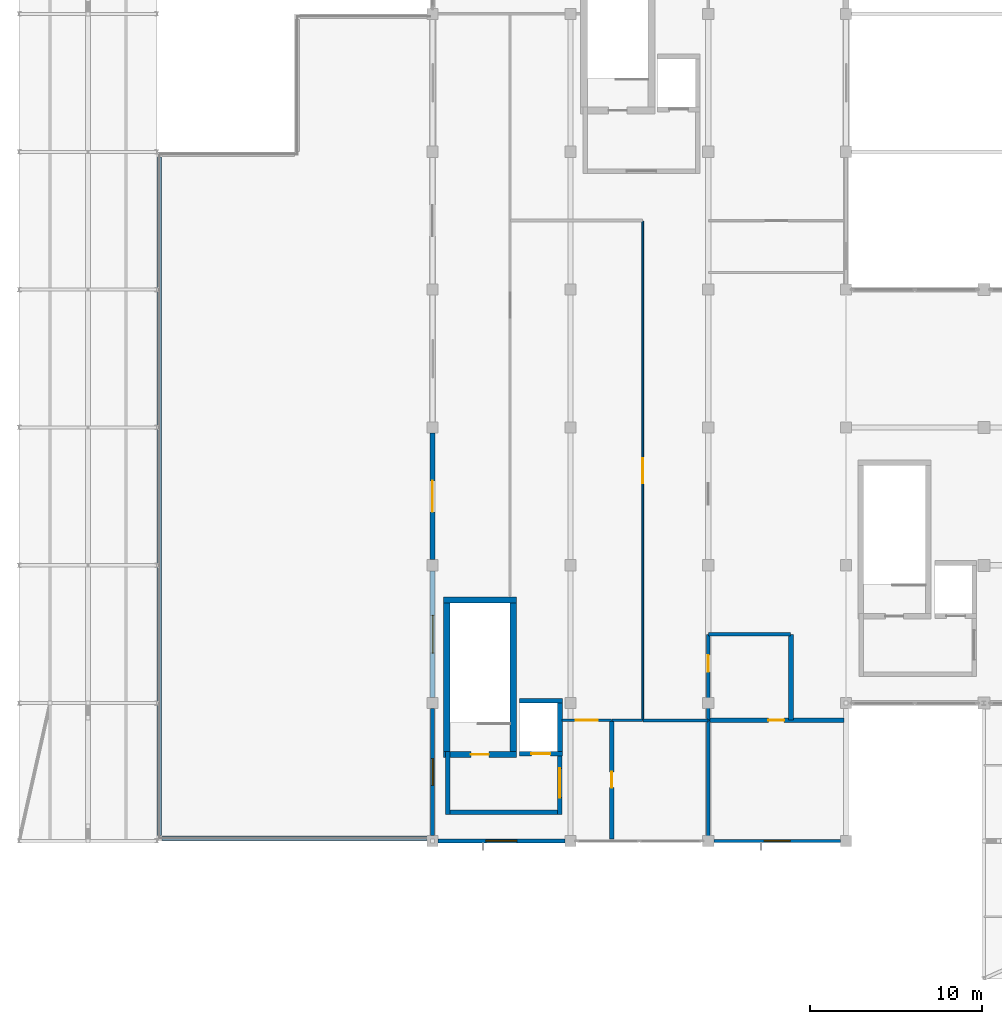
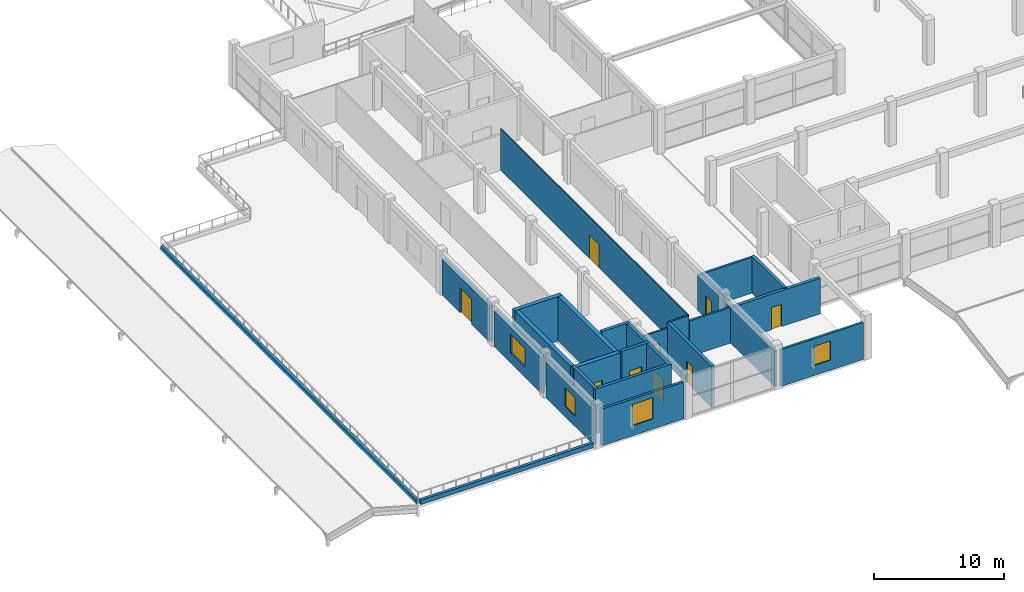
# One storey, part 42 of 67: 27 walls, 9 doors, 4 windows, 13 openings.
"""IFC4 building model written with IfcOpenShell, lengths in metres."""

from ifc_helpers import new_model, si_unit, direction, frame, frame_2d, origin, place, context, subcontext, project, spatial, rectangle, extrude, material, layer, layer_set, type_object, element, fill, save


model = new_model("IFC4")

# Units and contexts
model_context = context("Model", 3, precision=1e-05, world=origin(), true_north=direction((0.0, 1.0)))
body_context = subcontext(model_context, "Body", "Model", "MODEL_VIEW")
ifc_project = project(units=[si_unit("LENGTHUNIT", "METRE"), si_unit("AREAUNIT", "SQUARE_METRE"), si_unit("VOLUMEUNIT", "CUBIC_METRE"), si_unit("PLANEANGLEUNIT", "RADIAN"), si_unit("MASSUNIT", "GRAM", prefix="KILO")], contexts=[model_context])

# Site, building, storey
site_placement = place(None, origin())
site = spatial("IfcSite", under=ifc_project, at=site_placement, CompositionType="ELEMENT")
building_placement = place(site_placement, origin())
building = spatial("IfcBuilding", under=site, at=building_placement, Name="Kenh Van Central Station", CompositionType="ELEMENT")
storey_placement = place(building_placement, frame((0.0, 0.0, 10.800048828125)))
storey = spatial("IfcBuildingStorey", under=building, at=storey_placement, Name="L02", CompositionType="ELEMENT", Elevation=10.800048828125)

# Wall, opening, door
ifc_material_1 = material(Name="Concrete C40/50", Category="concrete")
ifc_layer_1 = layer(ifc_material_1, 0.280029296875, Name="Concrete C40/50")
ifc_layer_set_1 = layer_set([ifc_layer_1], Name="Concrete C40/50")
wall_type_1 = type_object("IfcWallType", Name="WL-CORE-280", PredefinedType="SHEAR", material=ifc_layer_set_1)
wall_1_placement = place(storey_placement, frame((29.050048828125, 13.06005859375, 0.0), z_axis=(0.0, 0.0, 1.0), x_axis=(1.0, 0.0, 0.0)))
wall_1 = element("IfcWall", 1, at=wall_1_placement, inside=storey, type_object=wall_type_1, Name="L02 LIFT-P1 shaft wall S", PredefinedType="SHEAR", context=body_context, shape_type="SweptSolid", body=[
    extrude(rectangle(XDim=2.47998046875, YDim=0.280029296875, at=frame_2d((1.239990234375, 0.0))), origin(), (0.0, 0.0, 1.0), 4.199951171875),
])
opening_1_placement = place(wall_1_placement, frame((0.68994140625, 0.0, 0.0)))
opening_1 = element("IfcOpeningElement", 2, at=opening_1_placement, cuts=wall_1, Name="Opening LD-P1", PredefinedType="OPENING", context=body_context, shape_type="SweptSolid", body=[
    extrude(rectangle(XDim=1.10009765625, YDim=2.14990234375, at=frame_2d((0.550048828125, 1.074951171875))), frame((0.0, 0.14990234375, 0.0), z_axis=(0.0, -1.0, 0.0), x_axis=(1.0, 0.0, 0.0)), (0.0, 0.0, 1.0), 0.300048828125),
])
ifc_material_2 = material(Name="Champagne anodised aluminium", Category="aluminium")
door_type_1 = type_object("IfcDoorType", Name="DR-LIFT-1100x2150", OperationType="SLIDING_TO_LEFT", PredefinedType="DOOR", material=ifc_material_2)
door_1_placement = place(opening_1_placement, origin())
door_1 = element("IfcDoor", 3, at=door_1_placement, inside=storey, type_object=door_type_1, Name="L02 LIFT-P1 sliding landing door", OperationType="SLIDING_TO_LEFT", OverallHeight=2.14990234375, OverallWidth=1.10009765625, PredefinedType="DOOR", context=body_context, shape_type="SweptSolid", body=[
    extrude(rectangle(XDim=1.10009765625, YDim=2.14990234375, at=frame_2d((0.550048828125, 1.074951171875))), frame((0.0, 0.02490234375, 0.0), z_axis=(0.0, -1.0, 0.0), x_axis=(1.0, 0.0, 0.0)), (0.0, 0.0, 1.0), 0.050048828125),
])
fill(opening_1, door_1)

# Walls
wall_2_placement = place(storey_placement, frame((29.050048828125, 16.139892578125, 0.0), z_axis=(0.0, 0.0, 1.0), x_axis=(1.0, 0.0, 0.0)))
element("IfcWall", 4, at=wall_2_placement, inside=storey, type_object=wall_type_1, Name="L02 LIFT-P1 shaft wall N", PredefinedType="SHEAR", context=body_context, shape_type="SweptSolid", body=[
    extrude(rectangle(XDim=2.47998046875, YDim=0.280029296875, at=frame_2d((1.239990234375, 0.0))), origin(), (0.0, 0.0, 1.0), 4.199951171875),
])
wall_3_placement = place(storey_placement, frame((31.389892578125, 13.199951171875, 0.0), z_axis=(0.0, 0.0, 1.0), x_axis=(0.0, 1.0, 0.0)))
element("IfcWall", 5, at=wall_3_placement, inside=storey, type_object=wall_type_1, Name="L02 LIFT-P1 shaft wall E", PredefinedType="SHEAR", context=body_context, shape_type="SweptSolid", body=[
    extrude(rectangle(XDim=2.800048828125, YDim=0.280029296875, at=frame_2d((1.39990234375, 0.0))), origin(), (0.0, 0.0, 1.0), 4.199951171875),
])

# Wall, opening, door
ifc_layer_2 = layer(ifc_material_1, 0.360107421875, Name="Concrete C40/50")
ifc_layer_set_2 = layer_set([ifc_layer_2], Name="Concrete C40/50")
wall_type_2 = type_object("IfcWallType", Name="WL-CORE-360", PredefinedType="SHEAR", material=ifc_layer_set_2)
wall_4_placement = place(storey_placement, frame((24.639892578125, 13.02001953125, 0.0), z_axis=(0.0, 0.0, 1.0), x_axis=(1.0, 0.0, 0.0)))
wall_4 = element("IfcWall", 6, at=wall_4_placement, inside=storey, type_object=wall_type_2, Name="L02 CORE-01 stair wall S", PredefinedType="SHEAR", context=body_context, shape_type="SweptSolid", body=[
    extrude(rectangle(XDim=4.22021484375, YDim=0.360107421875, at=frame_2d((2.110107421875, 0.0))), origin(), (0.0, 0.0, 1.0), 4.199951171875),
])
opening_2_placement = place(wall_4_placement, frame((1.5849609375, 0.0, 0.0)))
opening_2 = element("IfcOpeningElement", 7, at=opening_2_placement, cuts=wall_4, Name="Opening D-FD60", PredefinedType="OPENING", context=body_context, shape_type="SweptSolid", body=[
    extrude(rectangle(XDim=1.050048828125, YDim=2.14990234375, at=frame_2d((0.52490234375, 1.074951171875))), frame((0.0, 0.18994140625, 0.0), z_axis=(0.0, -1.0, 0.0), x_axis=(1.0, 0.0, 0.0)), (0.0, 0.0, 1.0), 0.380126953125),
])
door_type_2 = type_object("IfcDoorType", Name="DR-FIRE-1050x2150", OperationType="NOTDEFINED", PredefinedType="DOOR", material=ifc_material_2)
door_2_placement = place(opening_2_placement, origin())
door_2 = element("IfcDoor", 8, at=door_2_placement, inside=storey, type_object=door_type_2, Name="L02 ST-01 stair door", OperationType="SINGLE_SWING_LEFT", OverallHeight=2.14990234375, OverallWidth=1.050048828125, PredefinedType="DOOR", context=body_context, shape_type="SweptSolid", body=[
    extrude(rectangle(XDim=1.050048828125, YDim=2.14990234375, at=frame_2d((0.52490234375, 1.074951171875))), frame((0.0, 0.02490234375, 0.0), z_axis=(0.0, -1.0, 0.0), x_axis=(1.0, 0.0, 0.0)), (0.0, 0.0, 1.0), 0.050048828125),
])
fill(opening_2, door_2)

# Walls
wall_5_placement = place(storey_placement, frame((24.639892578125, 21.97998046875, 0.0), z_axis=(0.0, 0.0, 1.0), x_axis=(1.0, 0.0, 0.0)))
element("IfcWall", 9, at=wall_5_placement, inside=storey, type_object=wall_type_2, Name="L02 CORE-01 stair wall N", PredefinedType="SHEAR", context=body_context, shape_type="SweptSolid", body=[
    extrude(rectangle(XDim=4.22021484375, YDim=0.360107421875, at=frame_2d((2.110107421875, 0.0))), origin(), (0.0, 0.0, 1.0), 4.199951171875),
])
for number, where, z_axis, x_axis, name in (
    (10, (24.820068359375, 13.199951171875, 0.0), (0.0, 0.0, 1.0), (0.0, 1.0, 0.0), "L02 CORE-01 stair wall W"),
    (11, (28.679931640625, 13.199951171875, 0.0), (0.0, 0.0, 1.0), (0.0, 1.0, 0.0), "L02 CORE-01 stair wall E"),
):
    element("IfcWall", number, at=place(storey_placement, frame(where, z_axis=z_axis, x_axis=x_axis)), inside=storey, type_object=wall_type_2, Name=name, PredefinedType="SHEAR", context=body_context, shape_type="SweptSolid", body=[
        extrude(rectangle(XDim=8.60009765625, YDim=0.360107421875, at=frame_2d((4.300048828125, 0.0))), origin(), (0.0, 0.0, 1.0), 4.199951171875),
    ])

# Wall, opening, window
ifc_material_3 = material(Name="Saigon buff sandstone and terracotta masonry", Category="masonry")
ifc_layer_3 = layer(ifc_material_3, 0.2900390625, Name="Saigon buff sandstone and terracotta masonry")
ifc_layer_set_3 = layer_set([ifc_layer_3], Name="Saigon buff sandstone and terracotta masonry")
wall_type_3 = type_object("IfcWallType", Name="WL-EXT-290", PredefinedType="STANDARD", material=ifc_layer_set_3)
wall_6_placement = place(storey_placement, frame((24.0, 23.675048828125, 0.0), z_axis=(0.0, 0.0, 1.0), x_axis=(0.0, -1.0, 0.0)))
wall_6 = element("IfcWall", 12, at=wall_6_placement, inside=storey, type_object=wall_type_3, Name="L02 exterior wall 076", PredefinedType="STANDARD", context=body_context, shape_type="SweptSolid", body=[
    extrude(rectangle(XDim=7.35009765625, YDim=0.2900390625, at=frame_2d((3.675048828125, 0.0))), origin(), (0.0, 0.0, 1.0), 3.35986328125),
])
opening_3_placement = place(wall_6_placement, frame((2.574951171875, 0.0, 0.949951171875)))
opening_3 = element("IfcOpeningElement", 13, at=opening_3_placement, cuts=wall_6, Name="Opening WN-16", PredefinedType="OPENING", context=body_context, shape_type="SweptSolid", body=[
    extrude(rectangle(XDim=2.199951171875, YDim=1.75, at=frame_2d((1.10009765625, 0.875))), frame((0.0, 0.155029296875, 0.0), z_axis=(0.0, -1.0, 0.0), x_axis=(1.0, 0.0, 0.0)), (0.0, 0.0, 1.0), 0.31005859375),
])
ifc_material_4 = material(Name="Double-glazed low-E laminated solar glass", Category="glass")
window_type_1 = type_object("IfcWindowType", Name="WN-OP02-2200x1750", PartitioningType="DOUBLE_PANEL_VERTICAL", PredefinedType="WINDOW", material=ifc_material_4)
window_1_placement = place(opening_3_placement, origin())
window_1 = element("IfcWindow", 14, at=window_1_placement, inside=storey, type_object=window_type_1, Name="L02 window 046", OverallHeight=1.75, OverallWidth=2.199951171875, PartitioningType="SINGLE_PANEL", PredefinedType="WINDOW", context=body_context, shape_type="SweptSolid", body=[
    extrude(rectangle(XDim=2.199951171875, YDim=1.75, at=frame_2d((1.10009765625, 0.875))), frame((0.0, 0.030029296875, 0.0), z_axis=(0.0, -1.0, 0.0), x_axis=(1.0, 0.0, 0.0)), (0.0, 0.0, 1.0), 0.06005859375),
])
fill(opening_3, window_1)

# Wall, opening, door
ifc_layer_4 = layer(ifc_material_3, 0.31005859375, Name="Saigon buff sandstone and terracotta masonry")
ifc_layer_set_4 = layer_set([ifc_layer_4], Name="Saigon buff sandstone and terracotta masonry")
wall_type_4 = type_object("IfcWallType", Name="WL-EXT-310", PredefinedType="STANDARD", material=ifc_layer_set_4)
wall_7_placement = place(storey_placement, frame((24.0, 31.675048828125, 0.0), z_axis=(0.0, 0.0, 1.0), x_axis=(0.0, -1.0, 0.0)))
wall_7 = element("IfcWall", 15, at=wall_7_placement, inside=storey, type_object=wall_type_4, Name="L02 exterior wall 075", PredefinedType="STANDARD", context=body_context, shape_type="SweptSolid", body=[
    extrude(rectangle(XDim=7.35009765625, YDim=0.31005859375, at=frame_2d((3.675048828125, 0.0))), origin(), (0.0, 0.0, 1.0), 3.35986328125),
])
opening_4_placement = place(wall_7_placement, frame((2.77490234375, 0.0, 0.0)))
opening_4 = element("IfcOpeningElement", 16, at=opening_4_placement, cuts=wall_7, Name="Opening D-EX4", PredefinedType="OPENING", context=body_context, shape_type="SweptSolid", body=[
    extrude(rectangle(XDim=1.800048828125, YDim=2.35009765625, at=frame_2d((0.89990234375, 1.175048828125))), frame((0.0, 0.1650390625, 0.0), z_axis=(0.0, -1.0, 0.0), x_axis=(1.0, 0.0, 0.0)), (0.0, 0.0, 1.0), 0.330078125),
])
door_type_3 = type_object("IfcDoorType", Name="DR-EXT-1800x2350", OperationType="DOUBLE_DOOR_SINGLE_SWING", PredefinedType="DOOR", material=ifc_material_2)
door_3_placement = place(opening_4_placement, frame((1.800048828125, 0.0, 0.0), z_axis=(0.0, 0.0, 1.0), x_axis=(-1.0, 0.0, 0.0)))
door_3 = element("IfcDoor", 17, at=door_3_placement, inside=storey, type_object=door_type_3, Name="L02 exterior door 030", OperationType="DOUBLE_DOOR_SINGLE_SWING", OverallHeight=2.35009765625, OverallWidth=1.800048828125, PredefinedType="DOOR", context=body_context, shape_type="SweptSolid", body=[
    extrude(rectangle(XDim=1.800048828125, YDim=2.35009765625, at=frame_2d((-0.89990234375, 1.175048828125))), frame((0.0, -0.02490234375, 0.0), z_axis=(0.0, 1.0, 0.0), x_axis=(-1.0, 0.0, 0.0)), (0.0, 0.0, 1.0), 0.050048828125),
])
fill(opening_4, door_3)

# Walls
ifc_layer_5 = layer(ifc_material_1, 0.260009765625, Name="Concrete C40/50")
ifc_layer_set_5 = layer_set([ifc_layer_5], Name="Concrete C40/50")
wall_type_5 = type_object("IfcWallType", Name="WL-FIRE-260", PredefinedType="SHEAR", material=ifc_layer_set_5)
wall_8_placement = place(storey_placement, frame((31.510009765625, 9.669921875, 0.0), z_axis=(0.0, 0.0, 1.0), x_axis=(-1.0, 0.0, 0.0)))
element("IfcWall", 18, at=wall_8_placement, inside=storey, type_object=wall_type_5, Name="L02 CORE-01 lobby wall S", PredefinedType="SHEAR", context=body_context, shape_type="SweptSolid", body=[
    extrude(rectangle(XDim=6.77001953125, YDim=0.260009765625, at=frame_2d((3.385009765625, 0.0))), origin(), (0.0, 0.0, 1.0), 4.199951171875),
])
wall_9_placement = place(storey_placement, frame((24.8701171875, 9.5400390625, 0.0), z_axis=(0.0, 0.0, 1.0), x_axis=(0.0, 1.0, 0.0)))
element("IfcWall", 19, at=wall_9_placement, inside=storey, type_object=wall_type_5, Name="L02 CORE-01 lobby wall W", PredefinedType="SHEAR", context=body_context, shape_type="SweptSolid", body=[
    extrude(rectangle(XDim=3.659912109375, YDim=0.260009765625, at=frame_2d((1.830078125, 0.0))), origin(), (0.0, 0.0, 1.0), 4.199951171875),
])

# Wall, opening, door
wall_10_placement = place(storey_placement, frame((31.3798828125, 9.5400390625, 0.0), z_axis=(0.0, 0.0, 1.0), x_axis=(0.0, 1.0, 0.0)))
wall_10 = element("IfcWall", 20, at=wall_10_placement, inside=storey, type_object=wall_type_5, Name="L02 CORE-01 lobby wall E", PredefinedType="SHEAR", context=body_context, shape_type="SweptSolid", body=[
    extrude(rectangle(XDim=3.659912109375, YDim=0.260009765625, at=frame_2d((1.830078125, 0.0))), origin(), (0.0, 0.0, 1.0), 4.199951171875),
])
opening_5_placement = place(wall_10_placement, frame((0.97998046875, 0.0, 0.0)))
opening_5 = element("IfcOpeningElement", 21, at=opening_5_placement, cuts=wall_10, Name="Opening D-FD60D", PredefinedType="OPENING", context=body_context, shape_type="SweptSolid", body=[
    extrude(rectangle(XDim=1.699951171875, YDim=2.199951171875, at=frame_2d((0.85009765625, 1.10009765625))), frame((0.0, 0.139892578125, 0.0), z_axis=(0.0, -1.0, 0.0), x_axis=(1.0, 0.0, 0.0)), (0.0, 0.0, 1.0), 0.280029296875),
])
door_type_4 = type_object("IfcDoorType", Name="DR-FIRE-1700x2200", OperationType="DOUBLE_DOOR_SINGLE_SWING", PredefinedType="DOOR", material=ifc_material_2)
door_4_placement = place(opening_5_placement, origin())
door_4 = element("IfcDoor", 22, at=door_4_placement, inside=storey, type_object=door_type_4, Name="L02 CORE-01 smoke-stop lobby door", OperationType="DOUBLE_DOOR_SINGLE_SWING", OverallHeight=2.199951171875, OverallWidth=1.699951171875, PredefinedType="DOOR", context=body_context, shape_type="SweptSolid", body=[
    extrude(rectangle(XDim=1.699951171875, YDim=2.199951171875, at=frame_2d((0.85009765625, 1.10009765625))), frame((0.0, 0.02490234375, 0.0), z_axis=(0.0, -1.0, 0.0), x_axis=(1.0, 0.0, 0.0)), (0.0, 0.0, 1.0), 0.050048828125),
])
fill(opening_5, door_4)

# Walls
ifc_material_5 = material(Name="Saigon buff sandstone parapet masonry", Category="masonry")
ifc_layer_6 = layer(ifc_material_5, 0.25, Name="Saigon buff sandstone parapet masonry")
ifc_layer_set_6 = layer_set([ifc_layer_6], Name="Saigon buff sandstone parapet masonry")
wall_type_6 = type_object("IfcWallType", Name="WL-PAR-250", PredefinedType="PARAPET", material=ifc_layer_set_6)
wall_11_placement = place(storey_placement, frame((8.31005859375, 8.14990234375, 0.0), z_axis=(0.0, 0.0, 1.0), x_axis=(1.0, 0.0, 0.0)))
element("IfcWall", 23, at=wall_11_placement, inside=storey, type_object=wall_type_6, Name="L02 terrace parapet 01", PredefinedType="PARAPET", context=body_context, shape_type="SweptSolid", body=[
    extrude(rectangle(XDim=15.3798828125, YDim=0.25, at=frame_2d((7.68994140625, 0.0))), origin(), (0.0, 0.0, 1.0), 0.419921875),
])
wall_12_placement = place(storey_placement, frame((8.14990234375, 8.31005859375, 0.0), z_axis=(0.0, 0.0, 1.0), x_axis=(0.0, 1.0, 0.0)))
element("IfcWall", 24, at=wall_12_placement, inside=storey, type_object=wall_type_6, Name="L02 terrace parapet 02", PredefinedType="PARAPET", context=body_context, shape_type="SweptSolid", body=[
    extrude(rectangle(XDim=39.3798828125, YDim=0.25, at=frame_2d((19.68994140625, 0.0))), origin(), (0.0, 0.0, 1.0), 0.419921875),
])

# Wall, opening, door
ifc_material_6 = material(Name="Lightweight acoustic masonry blockwork", Category="masonry")
ifc_layer_7 = layer(ifc_material_6, 0.10009765625, Name="Lightweight acoustic masonry blockwork")
ifc_layer_set_7 = layer_set([ifc_layer_7], Name="Lightweight acoustic masonry blockwork")
wall_type_7 = type_object("IfcWallType", Name="WL-PART-100", PredefinedType="PARTITIONING", material=ifc_layer_set_7)
wall_13_placement = place(storey_placement, frame((36.199951171875, 15.02001953125, 0.0), z_axis=(0.0, 0.0, 1.0), x_axis=(0.0, 1.0, 0.0)))
wall_13 = element("IfcWall", 25, at=wall_13_placement, inside=storey, type_object=wall_type_7, Name="L02 interior wall 0139", PredefinedType="PARTITIONING", context=body_context, shape_type="SweptSolid", body=[
    extrude(rectangle(XDim=28.9599609375, YDim=0.10009765625, at=frame_2d((14.47998046875, 0.0))), origin(), (0.0, 0.0, 1.0), 3.8798828125),
])
opening_6_placement = place(wall_13_placement, frame((13.7548828125, 0.0, 0.0)))
opening_6 = element("IfcOpeningElement", 26, at=opening_6_placement, cuts=wall_13, Name="Opening D-IN03", PredefinedType="OPENING", context=body_context, shape_type="SweptSolid", body=[
    extrude(rectangle(XDim=1.449951171875, YDim=2.199951171875, at=frame_2d((0.72509765625, 1.10009765625))), frame((0.0, 0.06005859375, 0.0), z_axis=(0.0, -1.0, 0.0), x_axis=(1.0, 0.0, 0.0)), (0.0, 0.0, 1.0), 0.1201171875),
])
ifc_material_7 = material(Name="Architectural hardwood timber", Category="wood")
door_type_5 = type_object("IfcDoorType", Name="DR-INT-1450x2200", OperationType="DOUBLE_DOOR_SINGLE_SWING", PredefinedType="DOOR", material=ifc_material_7)
door_5_placement = place(opening_6_placement, origin())
door_5 = element("IfcDoor", 27, at=door_5_placement, inside=storey, type_object=door_type_5, Name="L02 interior door 0077", OperationType="DOUBLE_DOOR_SINGLE_SWING", OverallHeight=2.199951171875, OverallWidth=1.449951171875, PredefinedType="DOOR", context=body_context, shape_type="SweptSolid", body=[
    extrude(rectangle(XDim=1.449951171875, YDim=2.199951171875, at=frame_2d((0.72509765625, 1.10009765625))), frame((0.0, 0.02490234375, 0.0), z_axis=(0.0, -1.0, 0.0), x_axis=(1.0, 0.0, 0.0)), (0.0, 0.0, 1.0), 0.050048828125),
])
fill(opening_6, door_5)

ifc_layer_8 = layer(ifc_material_6, 0.14990234375, Name="Lightweight acoustic masonry blockwork")
ifc_layer_set_8 = layer_set([ifc_layer_8], Name="Lightweight acoustic masonry blockwork")
wall_type_8 = type_object("IfcWallType", Name="WL-PART-150", PredefinedType="PARTITIONING", material=ifc_layer_set_8)
wall_14_placement = place(storey_placement, frame((31.52001953125, 15.0, 0.0), z_axis=(0.0, 0.0, 1.0), x_axis=(1.0, 0.0, 0.0)))
wall_14 = element("IfcWall", 28, at=wall_14_placement, inside=storey, type_object=wall_type_8, Name="L02 interior wall 0142", PredefinedType="PARTITIONING", context=body_context, shape_type="SweptSolid", body=[
    extrude(rectangle(XDim=2.85986328125, YDim=0.14990234375, at=frame_2d((1.429931640625, 0.0))), origin(), (0.0, 0.0, 1.0), 3.35986328125),
])
opening_7_placement = place(wall_14_placement, frame((0.804931640625, 0.0, 0.0)))
opening_7 = element("IfcOpeningElement", 29, at=opening_7_placement, cuts=wall_14, Name="Opening D-IN04", PredefinedType="OPENING", context=body_context, shape_type="SweptSolid", body=[
    extrude(rectangle(XDim=1.25, YDim=2.14990234375, at=frame_2d((0.625, 1.074951171875))), frame((0.0, 0.0849609375, 0.0), z_axis=(0.0, -1.0, 0.0), x_axis=(1.0, 0.0, 0.0)), (0.0, 0.0, 1.0), 0.169921875),
])
door_type_6 = type_object("IfcDoorType", Name="DR-INT-1250x2150", OperationType="NOTDEFINED", PredefinedType="DOOR", material=ifc_material_7)
door_6_placement = place(opening_7_placement, origin())
door_6 = element("IfcDoor", 30, at=door_6_placement, inside=storey, type_object=door_type_6, Name="L02 interior door 0078", OperationType="SINGLE_SWING_LEFT", OverallHeight=2.14990234375, OverallWidth=1.25, PredefinedType="DOOR", context=body_context, shape_type="SweptSolid", body=[
    extrude(rectangle(XDim=1.25, YDim=2.14990234375, at=frame_2d((0.625, 1.074951171875))), frame((0.0, 0.02490234375, 0.0), z_axis=(0.0, -1.0, 0.0), x_axis=(1.0, 0.0, 0.0)), (0.0, 0.0, 1.0), 0.050048828125),
])
fill(opening_7, door_6)

# Walls
ifc_layer_9 = layer(ifc_material_6, 0.159912109375, Name="Lightweight acoustic masonry blockwork")
ifc_layer_set_9 = layer_set([ifc_layer_9], Name="Lightweight acoustic masonry blockwork")
wall_type_9 = type_object("IfcWallType", Name="WL-PART-160", PredefinedType="PARTITIONING", material=ifc_layer_set_9)
wall_15_placement = place(storey_placement, frame((34.419921875, 15.0, 0.0), z_axis=(0.0, 0.0, 1.0), x_axis=(1.0, 0.0, 0.0)))
element("IfcWall", 31, at=wall_15_placement, inside=storey, type_object=wall_type_9, Name="L02 interior wall 0141", PredefinedType="PARTITIONING", context=body_context, shape_type="SweptSolid", body=[
    extrude(rectangle(XDim=1.760009765625, YDim=0.159912109375, at=frame_2d((0.8798828125, 0.0))), origin(), (0.0, 0.0, 1.0), 3.8798828125),
])
ifc_layer_10 = layer(ifc_material_6, 0.18505859375, Name="Lightweight acoustic masonry blockwork")
ifc_layer_set_10 = layer_set([ifc_layer_10], Name="Lightweight acoustic masonry blockwork")
wall_type_10 = type_object("IfcWallType", Name="WL-PLMB-185", PredefinedType="PLUMBINGWALL", material=ifc_layer_set_10)
wall_16_placement = place(storey_placement, frame((36.219970703125, 15.0, 0.0), z_axis=(0.0, 0.0, 1.0), x_axis=(1.0, 0.0, 0.0)))
element("IfcWall", 32, at=wall_16_placement, inside=storey, type_object=wall_type_10, Name="L02 interior wall 0149", PredefinedType="PLUMBINGWALL", context=body_context, shape_type="SweptSolid", body=[
    extrude(rectangle(XDim=3.760009765625, YDim=0.18505859375, at=frame_2d((1.8798828125, 0.0))), origin(), (0.0, 0.0, 1.0), 3.35986328125),
])
wall_17_placement = place(storey_placement, frame((40.02001953125, 20.0, 0.0), z_axis=(0.0, 0.0, 1.0), x_axis=(1.0, 0.0, 0.0)))
element("IfcWall", 33, at=wall_17_placement, inside=storey, type_object=wall_type_10, Name="L02 interior wall 0152", PredefinedType="PLUMBINGWALL", context=body_context, shape_type="SweptSolid", body=[
    extrude(rectangle(XDim=4.760009765625, YDim=0.18505859375, at=frame_2d((2.3798828125, 0.0))), origin(), (0.0, 0.0, 1.0), 3.35986328125),
])
ifc_layer_11 = layer(ifc_material_6, 0.22998046875, Name="Lightweight acoustic masonry blockwork")
ifc_layer_set_11 = layer_set([ifc_layer_11], Name="Lightweight acoustic masonry blockwork")
wall_type_11 = type_object("IfcWallType", Name="WL-PLMB-230", PredefinedType="PLUMBINGWALL", material=ifc_layer_set_11)
wall_18_placement = place(storey_placement, frame((40.0, 8.1201171875, 0.0), z_axis=(0.0, 0.0, 1.0), x_axis=(0.0, 1.0, 0.0)))
element("IfcWall", 34, at=wall_18_placement, inside=storey, type_object=wall_type_11, Name="L02 interior wall 0148", PredefinedType="PLUMBINGWALL", context=body_context, shape_type="SweptSolid", body=[
    extrude(rectangle(XDim=6.85986328125, YDim=0.22998046875, at=frame_2d((3.429931640625, 0.0))), origin(), (0.0, 0.0, 1.0), 3.35986328125),
])

# Wall, opening, door
wall_19_placement = place(storey_placement, frame((40.0, 15.02001953125, 0.0), z_axis=(0.0, 0.0, 1.0), x_axis=(0.0, 1.0, 0.0)))
wall_19 = element("IfcWall", 35, at=wall_19_placement, inside=storey, type_object=wall_type_11, Name="L02 interior wall 0151", PredefinedType="PLUMBINGWALL", context=body_context, shape_type="SweptSolid", body=[
    extrude(rectangle(XDim=4.9599609375, YDim=0.22998046875, at=frame_2d((2.47998046875, 0.0))), origin(), (0.0, 0.0, 1.0), 3.35986328125),
])
opening_8_placement = place(wall_19_placement, frame((2.800048828125, 0.0, 0.0)))
opening_8 = element("IfcOpeningElement", 36, at=opening_8_placement, cuts=wall_19, Name="Opening D-IN08", PredefinedType="OPENING", context=body_context, shape_type="SweptSolid", body=[
    extrude(rectangle(XDim=0.9599609375, YDim=2.10009765625, at=frame_2d((0.47998046875, 1.050048828125))), frame((0.0, 0.125, 0.0), z_axis=(0.0, -1.0, 0.0), x_axis=(1.0, 0.0, 0.0)), (0.0, 0.0, 1.0), 0.25),
])
door_type_7 = type_object("IfcDoorType", Name="DR-INT-960x2100", OperationType="NOTDEFINED", PredefinedType="DOOR", material=ifc_material_7)
door_7_placement = place(opening_8_placement, origin())
door_7 = element("IfcDoor", 37, at=door_7_placement, inside=storey, type_object=door_type_7, Name="L02 interior door 0083", OperationType="SINGLE_SWING_RIGHT", OverallHeight=2.10009765625, OverallWidth=0.9599609375, PredefinedType="DOOR", context=body_context, shape_type="SweptSolid", body=[
    extrude(rectangle(XDim=0.9599609375, YDim=2.10009765625, at=frame_2d((0.47998046875, 1.050048828125))), frame((0.0, 0.02490234375, 0.0), z_axis=(0.0, -1.0, 0.0), x_axis=(1.0, 0.0, 0.0)), (0.0, 0.0, 1.0), 0.050048828125),
])
fill(opening_8, door_7)

ifc_layer_12 = layer(ifc_material_6, 0.27001953125, Name="Lightweight acoustic masonry blockwork")
ifc_layer_set_12 = layer_set([ifc_layer_12], Name="Lightweight acoustic masonry blockwork")
wall_type_12 = type_object("IfcWallType", Name="WL-PLMB-270", PredefinedType="PLUMBINGWALL", material=ifc_layer_set_12)
wall_20_placement = place(storey_placement, frame((34.39990234375, 8.1201171875, 0.0), z_axis=(0.0, 0.0, 1.0), x_axis=(0.0, 1.0, 0.0)))
wall_20 = element("IfcWall", 38, at=wall_20_placement, inside=storey, type_object=wall_type_12, Name="L02 interior wall 0147", PredefinedType="PLUMBINGWALL", context=body_context, shape_type="SweptSolid", body=[
    extrude(rectangle(XDim=6.85986328125, YDim=0.27001953125, at=frame_2d((3.429931640625, 0.0))), origin(), (0.0, 0.0, 1.0), 3.8798828125),
])
opening_9_placement = place(wall_20_placement, frame((2.969970703125, 0.0, 0.0)))
opening_9 = element("IfcOpeningElement", 39, at=opening_9_placement, cuts=wall_20, Name="Opening D-IN09", PredefinedType="OPENING", context=body_context, shape_type="SweptSolid", body=[
    extrude(rectangle(XDim=0.919921875, YDim=2.10009765625, at=frame_2d((0.4599609375, 1.050048828125))), frame((0.0, 0.14501953125, 0.0), z_axis=(0.0, -1.0, 0.0), x_axis=(1.0, 0.0, 0.0)), (0.0, 0.0, 1.0), 0.2900390625),
])
door_type_8 = type_object("IfcDoorType", Name="DR-INT-920x2100", OperationType="NOTDEFINED", PredefinedType="DOOR", material=ifc_material_7)
door_8_placement = place(opening_9_placement, origin())
door_8 = element("IfcDoor", 40, at=door_8_placement, inside=storey, type_object=door_type_8, Name="L02 interior door 0081", OperationType="SINGLE_SWING_RIGHT", OverallHeight=2.10009765625, OverallWidth=0.919921875, PredefinedType="DOOR", context=body_context, shape_type="SweptSolid", body=[
    extrude(rectangle(XDim=0.919921875, YDim=2.10009765625, at=frame_2d((0.4599609375, 1.050048828125))), frame((0.0, 0.02490234375, 0.0), z_axis=(0.0, -1.0, 0.0), x_axis=(1.0, 0.0, 0.0)), (0.0, 0.0, 1.0), 0.050048828125),
])
fill(opening_9, door_8)

wall_21_placement = place(storey_placement, frame((40.02001953125, 15.0, 0.0), z_axis=(0.0, 0.0, 1.0), x_axis=(1.0, 0.0, 0.0)))
wall_21 = element("IfcWall", 41, at=wall_21_placement, inside=storey, type_object=wall_type_12, Name="L02 interior wall 0150", PredefinedType="PLUMBINGWALL", context=body_context, shape_type="SweptSolid", body=[
    extrude(rectangle(XDim=7.85986328125, YDim=0.27001953125, at=frame_2d((3.929931640625, 0.0))), origin(), (0.0, 0.0, 1.0), 3.35986328125),
])
opening_10_placement = place(wall_21_placement, frame((3.469970703125, 0.0, 0.0)))
opening_10 = element("IfcOpeningElement", 42, at=opening_10_placement, cuts=wall_21, Name="Opening D-IN09", PredefinedType="OPENING", context=body_context, shape_type="SweptSolid", body=[
    extrude(rectangle(XDim=0.919921875, YDim=2.10009765625, at=frame_2d((0.4599609375, 1.050048828125))), frame((0.0, 0.14501953125, 0.0), z_axis=(0.0, -1.0, 0.0), x_axis=(1.0, 0.0, 0.0)), (0.0, 0.0, 1.0), 0.2900390625),
])
door_9_placement = place(opening_10_placement, origin())
door_9 = element("IfcDoor", 43, at=door_9_placement, inside=storey, type_object=door_type_8, Name="L02 interior door 0082", OperationType="SINGLE_SWING_LEFT", OverallHeight=2.10009765625, OverallWidth=0.919921875, PredefinedType="DOOR", context=body_context, shape_type="SweptSolid", body=[
    extrude(rectangle(XDim=0.919921875, YDim=2.10009765625, at=frame_2d((0.4599609375, 1.050048828125))), frame((0.0, 0.02490234375, 0.0), z_axis=(0.0, -1.0, 0.0), x_axis=(1.0, 0.0, 0.0)), (0.0, 0.0, 1.0), 0.050048828125),
])
fill(opening_10, door_9)

# Wall
wall_22_placement = place(storey_placement, frame((44.800048828125, 15.02001953125, 0.0), z_axis=(0.0, 0.0, 1.0), x_axis=(0.0, 1.0, 0.0)))
element("IfcWall", 44, at=wall_22_placement, inside=storey, type_object=wall_type_12, Name="L02 interior wall 0153", PredefinedType="PLUMBINGWALL", context=body_context, shape_type="SweptSolid", body=[
    extrude(rectangle(XDim=4.9599609375, YDim=0.27001953125, at=frame_2d((2.47998046875, 0.0))), origin(), (0.0, 0.0, 1.0), 3.46435546875),
])

# Wall, opening, window
ifc_material_8 = material(Name="Glazed terracotta architectural masonry", Category="masonry")
ifc_layer_13 = layer(ifc_material_8, 0.195068359375, Name="Glazed terracotta architectural masonry")
ifc_layer_set_13 = layer_set([ifc_layer_13], Name="Glazed terracotta architectural masonry")
wall_type_13 = type_object("IfcWallType", Name="WL-SLD-195", PredefinedType="SOLIDWALL", material=ifc_layer_set_13)
wall_23_placement = place(storey_placement, frame((40.324951171875, 8.0, 0.0), z_axis=(0.0, 0.0, 1.0), x_axis=(1.0, 0.0, 0.0)))
wall_23 = element("IfcWall", 45, at=wall_23_placement, inside=storey, type_object=wall_type_13, Name="L02 exterior wall 071", PredefinedType="SOLIDWALL", context=body_context, shape_type="SweptSolid", body=[
    extrude(rectangle(XDim=7.35009765625, YDim=0.195068359375, at=frame_2d((3.675048828125, 0.0))), origin(), (0.0, 0.0, 1.0), 3.46435546875),
])
opening_11_placement = place(wall_23_placement, frame((2.925048828125, 0.0, 0.949951171875)))
opening_11 = element("IfcOpeningElement", 46, at=opening_11_placement, cuts=wall_23, Name="Opening WN-11", PredefinedType="OPENING", context=body_context, shape_type="SweptSolid", body=[
    extrude(rectangle(XDim=1.5, YDim=1.800048828125, at=frame_2d((0.75, 0.89990234375))), frame((0.0, 0.107421875, 0.0), z_axis=(0.0, -1.0, 0.0), x_axis=(1.0, 0.0, 0.0)), (0.0, 0.0, 1.0), 0.215087890625),
])
window_type_2 = type_object("IfcWindowType", Name="WN-RETL-1500x1800", PartitioningType="SINGLE_PANEL", PredefinedType="WINDOW", material=ifc_material_4)
window_2_placement = place(opening_11_placement, origin())
window_2 = element("IfcWindow", 47, at=window_2_placement, inside=storey, type_object=window_type_2, Name="L02 window 043", OverallHeight=1.800048828125, OverallWidth=1.5, PartitioningType="SINGLE_PANEL", PredefinedType="WINDOW", context=body_context, shape_type="SweptSolid", body=[
    extrude(rectangle(XDim=1.5, YDim=1.800048828125, at=frame_2d((0.75, 0.89990234375))), frame((0.0, 0.030029296875, 0.0), z_axis=(0.0, -1.0, 0.0), x_axis=(1.0, 0.0, 0.0)), (0.0, 0.0, 1.0), 0.06005859375),
])
fill(opening_11, window_2)

ifc_layer_14 = layer(ifc_material_8, 0.219970703125, Name="Glazed terracotta architectural masonry")
ifc_layer_set_14 = layer_set([ifc_layer_14], Name="Glazed terracotta architectural masonry")
wall_type_14 = type_object("IfcWallType", Name="WL-SLD-220", PredefinedType="SOLIDWALL", material=ifc_layer_set_14)
wall_24_placement = place(storey_placement, frame((24.324951171875, 8.0, 0.0), z_axis=(0.0, 0.0, 1.0), x_axis=(1.0, 0.0, 0.0)))
wall_24 = element("IfcWall", 48, at=wall_24_placement, inside=storey, type_object=wall_type_14, Name="L02 exterior wall 070", PredefinedType="SOLIDWALL", context=body_context, shape_type="SweptSolid", body=[
    extrude(rectangle(XDim=7.35009765625, YDim=0.219970703125, at=frame_2d((3.675048828125, 0.0))), origin(), (0.0, 0.0, 1.0), 3.46435546875),
])
opening_12_placement = place(wall_24_placement, frame((2.77490234375, 0.0, 0.949951171875)))
opening_12 = element("IfcOpeningElement", 49, at=opening_12_placement, cuts=wall_24, Name="Opening WN-10", PredefinedType="OPENING", context=body_context, shape_type="SweptSolid", body=[
    extrude(rectangle(XDim=1.800048828125, YDim=2.0, at=frame_2d((0.89990234375, 1.0))), frame((0.0, 0.119873046875, 0.0), z_axis=(0.0, -1.0, 0.0), x_axis=(1.0, 0.0, 0.0)), (0.0, 0.0, 1.0), 0.239990234375),
])
window_type_3 = type_object("IfcWindowType", Name="WN-RETL-1800x2000", PartitioningType="DOUBLE_PANEL_VERTICAL", PredefinedType="WINDOW", material=ifc_material_4)
window_3_placement = place(opening_12_placement, origin())
window_3 = element("IfcWindow", 50, at=window_3_placement, inside=storey, type_object=window_type_3, Name="L02 window 042", OverallHeight=2.0, OverallWidth=1.800048828125, PartitioningType="SINGLE_PANEL", PredefinedType="WINDOW", context=body_context, shape_type="SweptSolid", body=[
    extrude(rectangle(XDim=1.800048828125, YDim=2.0, at=frame_2d((0.89990234375, 1.0))), frame((0.0, 0.030029296875, 0.0), z_axis=(0.0, -1.0, 0.0), x_axis=(1.0, 0.0, 0.0)), (0.0, 0.0, 1.0), 0.06005859375),
])
fill(opening_12, window_3)

ifc_layer_15 = layer(ifc_material_8, 0.239990234375, Name="Glazed terracotta architectural masonry")
ifc_layer_set_15 = layer_set([ifc_layer_15], Name="Glazed terracotta architectural masonry")
wall_type_15 = type_object("IfcWallType", Name="WL-SLD-240", PredefinedType="SOLIDWALL", material=ifc_layer_set_15)
wall_25_placement = place(storey_placement, frame((24.0, 15.675048828125, 0.0), z_axis=(0.0, 0.0, 1.0), x_axis=(0.0, -1.0, 0.0)))
wall_25 = element("IfcWall", 51, at=wall_25_placement, inside=storey, type_object=wall_type_15, Name="L02 exterior wall 077", PredefinedType="SOLIDWALL", context=body_context, shape_type="SweptSolid", body=[
    extrude(rectangle(XDim=7.35009765625, YDim=0.239990234375, at=frame_2d((3.675048828125, 0.0))), origin(), (0.0, 0.0, 1.0), 3.35986328125),
])
opening_13_placement = place(wall_25_placement, frame((2.89990234375, 0.0, 0.949951171875)))
opening_13 = element("IfcOpeningElement", 52, at=opening_13_placement, cuts=wall_25, Name="Opening WN-17", PredefinedType="OPENING", context=body_context, shape_type="SweptSolid", body=[
    extrude(rectangle(XDim=1.550048828125, YDim=1.75, at=frame_2d((0.77490234375, 0.875))), frame((0.0, 0.1298828125, 0.0), z_axis=(0.0, -1.0, 0.0), x_axis=(1.0, 0.0, 0.0)), (0.0, 0.0, 1.0), 0.260009765625),
])
window_type_4 = type_object("IfcWindowType", Name="WN-OP02-1550x1750", PartitioningType="SINGLE_PANEL", PredefinedType="WINDOW", material=ifc_material_4)
window_4_placement = place(opening_13_placement, origin())
window_4 = element("IfcWindow", 53, at=window_4_placement, inside=storey, type_object=window_type_4, Name="L02 window 047", OverallHeight=1.75, OverallWidth=1.550048828125, PartitioningType="SINGLE_PANEL", PredefinedType="WINDOW", context=body_context, shape_type="SweptSolid", body=[
    extrude(rectangle(XDim=1.550048828125, YDim=1.75, at=frame_2d((0.77490234375, 0.875))), frame((0.0, 0.030029296875, 0.0), z_axis=(0.0, -1.0, 0.0), x_axis=(1.0, 0.0, 0.0)), (0.0, 0.0, 1.0), 0.06005859375),
])
fill(opening_13, window_4)

save(model, "model.ifc")
